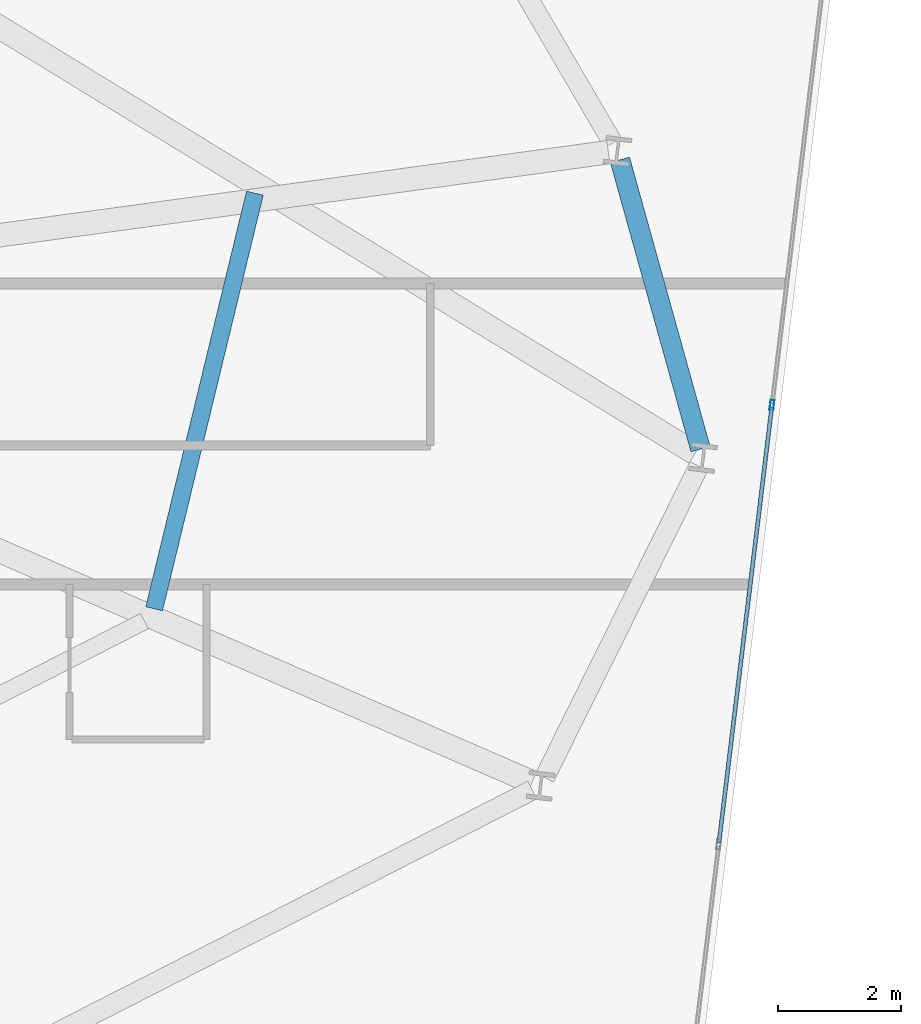
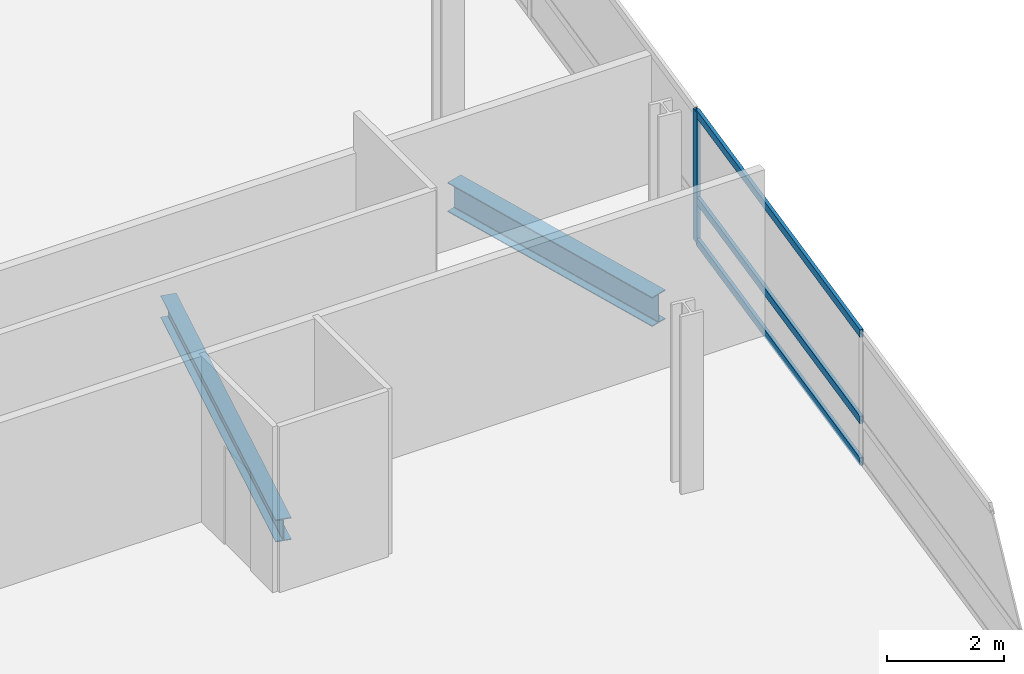
# One storey, part 15 of 25: 4 members, 2 beams, 1 element without a shape of its own.
"""IFC4 building model written with IfcOpenShell, lengths in metres."""

from ifc_helpers import new_model, si_unit, direction, frame, origin, origin_2d, place, context, subcontext, project, spatial, hollow_rectangle, i_section, extrude, material, layer, layer_set, material_profile, profile_set, type_object, element, aggregate, save


model = new_model("IFC4")

# Units and contexts
model_context = context("Model", 3, precision=1e-05, world=origin(), true_north=direction((0.0, 1.0)))
body_context = subcontext(model_context, "Body", "Model", "MODEL_VIEW")
ifc_project = project(units=[si_unit("LENGTHUNIT", "METRE"), si_unit("AREAUNIT", "SQUARE_METRE"), si_unit("VOLUMEUNIT", "CUBIC_METRE"), si_unit("PLANEANGLEUNIT", "RADIAN"), si_unit("MASSUNIT", "GRAM", prefix="KILO")], contexts=[model_context])

# Site, building, storey
site_placement = place(None, origin())
site = spatial("IfcSite", under=ifc_project, at=site_placement, CompositionType="ELEMENT")
building_placement = place(site_placement, origin())
building = spatial("IfcBuilding", under=site, at=building_placement, Name="Varnelok Gate Tower", CompositionType="ELEMENT")
storey_placement = place(building_placement, frame((0.0, 0.0, 140.199951171875)))
storey = spatial("IfcBuildingStorey", under=building, at=storey_placement, Name="L35", CompositionType="ELEMENT", Elevation=140.199951171875)

# Beams
ifc_material_1 = material(Name="Structural Steel ASTM A992 Grade 50", Category="steel")
ifc_material_profile_1 = material_profile(ifc_material_1, i_section(OverallWidth=0.280029296875, OverallDepth=0.462890625, WebThickness=0.0107421875, FlangeThickness=0.017333984375, FilletRadius=0.014892578125, at=origin_2d()), Name="W18X76")
ifc_profile_set_1 = profile_set([ifc_material_profile_1], Name="Structural Steel ASTM A992 Grade 50")
beam_type_1 = type_object("IfcBeamType", Name="BM-JST-W18X76", PredefinedType="JOIST", material=ifc_profile_set_1)
beam_1_placement = place(storey_placement, frame((65.509521484375, 13.952880859375, -0.4814453125), z_axis=(0.235590982902, 0.971852297819, 0.0), x_axis=(-0.971852297819, 0.235590982902, 0.0)))
element("IfcBeam", 1, at=beam_1_placement, inside=storey, type_object=beam_type_1, Name="L35 Sector Floor Joist 6", PredefinedType="JOIST", context=body_context, shape_type="SweptSolid", body=[
    extrude(i_section(OverallWidth=0.280029296875, OverallDepth=0.462890625, WebThickness=0.0107421875, FlangeThickness=0.017333984375, FilletRadius=0.014892578125, at=origin_2d()), origin(), (0.0, 0.0, 1.0), 6.95458984375),
])
ifc_material_profile_2 = material_profile(ifc_material_1, i_section(OverallWidth=0.323974609375, OverallDepth=0.611083984375, WebThickness=0.0126953125, FlangeThickness=0.01904296875, FilletRadius=0.01806640625, at=origin_2d()), Name="W24X104")
ifc_profile_set_2 = profile_set([ifc_material_profile_2], Name="Structural Steel ASTM A992 Grade 50")
beam_type_2 = type_object("IfcBeamType", Name="BM-SPN-W24X104", PredefinedType="SPANDREL", material=ifc_profile_set_2)
beam_2_placement = place(storey_placement, frame((74.395263671875, 16.54931640625, -0.555419921875), z_axis=(-0.26833732875, 0.963325011613, 0.0), x_axis=(-0.963325011613, -0.26833732875, 0.0)))
element("IfcBeam", 2, at=beam_2_placement, inside=storey, type_object=beam_type_2, Name="L35 Perimeter Spandrel Beam 7", PredefinedType="SPANDREL", context=body_context, shape_type="SweptSolid", body=[
    extrude(i_section(OverallWidth=0.323974609375, OverallDepth=0.611083984375, WebThickness=0.0126953125, FlangeThickness=0.01904296875, FilletRadius=0.01806640625, at=origin_2d()), origin(), (0.0, 0.0, 1.0), 4.884033203125),
])

# Curtain wall, members
ifc_material_2 = material(Name="Anodized Aluminum Alloy 6063-T6", Category="aluminium")
ifc_layer = layer(ifc_material_2, 0.179931640625)
ifc_layer_set = layer_set([ifc_layer], Name="Anodized Aluminum Alloy 6063-T6")
curtain_wall_type = type_object("IfcCurtainWallType", Name="CW3-HOTEL-VISION", PredefinedType="USERDEFINED", material=ifc_layer_set)
curtain_wall_placement = place(storey_placement, origin())
curtain_wall = element("IfcCurtainWall", 3, at=curtain_wall_placement, inside=storey, type_object=curtain_wall_type, Name="L35 East End Vision Curtain Wall", ObjectType="UNITISED CURTAIN WALL", PredefinedType="USERDEFINED")
ifc_material_profile_3 = material_profile(ifc_material_2, hollow_rectangle(XDim=0.06494140625, YDim=0.159912109375, WallThickness=0.00390625, at=origin_2d()), Name="ALU160X65X4")
ifc_profile_set_3 = profile_set([ifc_material_profile_3], Name="Anodized Aluminum Alloy 6063-T6")
member_type_1 = type_object("IfcMemberType", Name="CW-MULL-160", PredefinedType="MULLION", material=ifc_profile_set_3)
member_1_placement = place(storey_placement, frame((75.557373046875, 17.26611328125, 0.0), z_axis=(0.0, 0.0, 1.0), x_axis=(0.99273188146, -0.120347046212, 0.0)))
member_1 = element("IfcMember", 4, at=member_1_placement, type_object=member_type_1, Name="CW3 mullion 4", PredefinedType="MULLION", context=body_context, shape_type="SweptSolid", body=[
    extrude(hollow_rectangle(XDim=0.06494140625, YDim=0.159912109375, WallThickness=0.00390625, at=origin_2d()), origin(), (0.0, 0.0, 1.0), 2.72998046875),
])
ifc_material_profile_4 = material_profile(ifc_material_2, hollow_rectangle(XDim=0.06494140625, YDim=0.159912109375, WallThickness=0.00390625, at=origin_2d()), Name="ALU160X65X4")
ifc_profile_set_4 = profile_set([ifc_material_profile_4], Name="Anodized Aluminum Alloy 6063-T6")
member_type_2 = type_object("IfcMemberType", Name="CW-TRAN-160", PredefinedType="USERDEFINED", material=ifc_profile_set_4)
member_2_placement = place(storey_placement, frame((75.553466796875, 17.23388671875, 0.032470703125), z_axis=(-0.120340564253, -0.992732667235, 0.0), x_axis=(0.992732667235, -0.120340564253, 0.0)))
member_2 = element("IfcMember", 5, at=member_2_placement, type_object=member_type_2, Name="CW3 transom 4.1", ObjectType="TRANSOM", PredefinedType="USERDEFINED", context=body_context, shape_type="SweptSolid", body=[
    extrude(hollow_rectangle(XDim=0.06494140625, YDim=0.159912109375, WallThickness=0.00390625, at=origin_2d()), origin(), (0.0, 0.0, 1.0), 7.135009765625),
])
member_3_placement = place(storey_placement, frame((75.553466796875, 17.23388671875, 0.900146484375), z_axis=(-0.120340564253, -0.992732667235, 0.0), x_axis=(0.992732667235, -0.120340564253, 0.0)))
member_3 = element("IfcMember", 6, at=member_3_placement, type_object=member_type_2, Name="CW3 transom 4.2", ObjectType="TRANSOM", PredefinedType="USERDEFINED", context=body_context, shape_type="SweptSolid", body=[
    extrude(hollow_rectangle(XDim=0.06494140625, YDim=0.159912109375, WallThickness=0.00390625, at=origin_2d()), origin(), (0.0, 0.0, 1.0), 7.135009765625),
])
member_4_placement = place(storey_placement, frame((75.553466796875, 17.23388671875, 2.697509765625), z_axis=(-0.120340564253, -0.992732667235, 0.0), x_axis=(0.992732667235, -0.120340564253, 0.0)))
member_4 = element("IfcMember", 7, at=member_4_placement, type_object=member_type_2, Name="CW3 transom 4.3", ObjectType="TRANSOM", PredefinedType="USERDEFINED", context=body_context, shape_type="SweptSolid", body=[
    extrude(hollow_rectangle(XDim=0.06494140625, YDim=0.159912109375, WallThickness=0.00390625, at=origin_2d()), origin(), (0.0, 0.0, 1.0), 7.135009765625),
])
aggregate(curtain_wall, [member_1, member_2, member_3, member_4])

save(model, "model.ifc")
